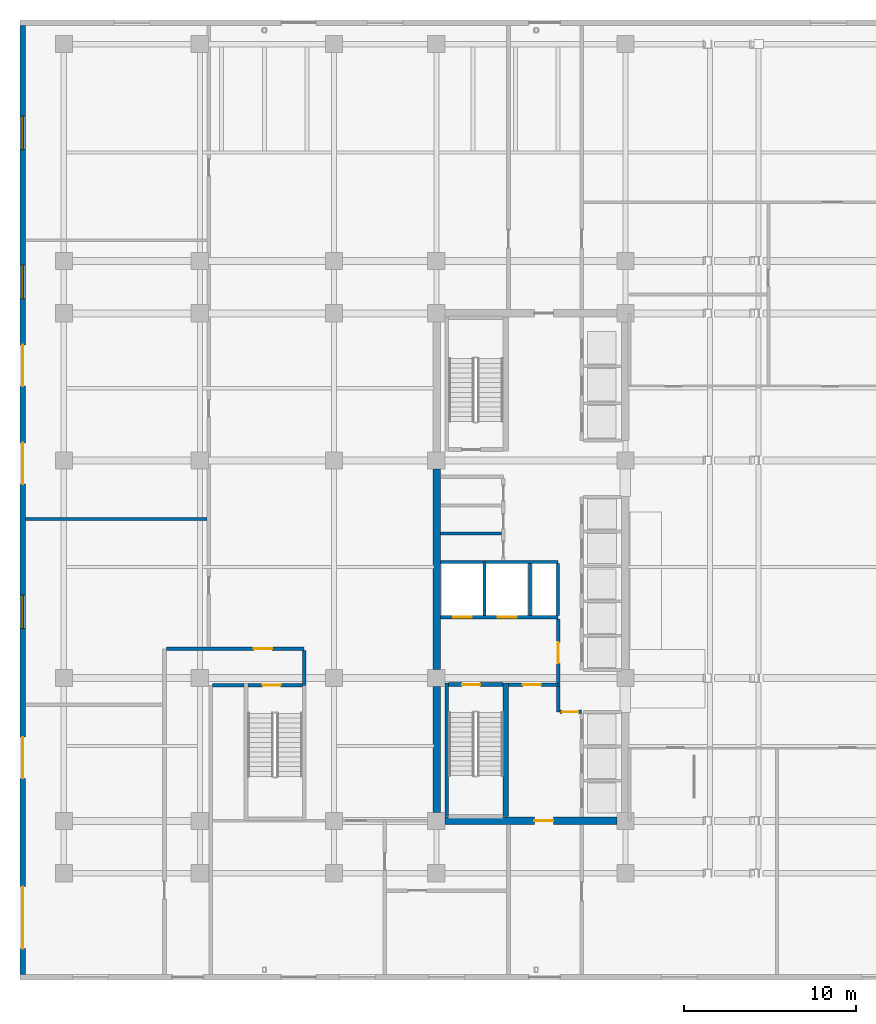
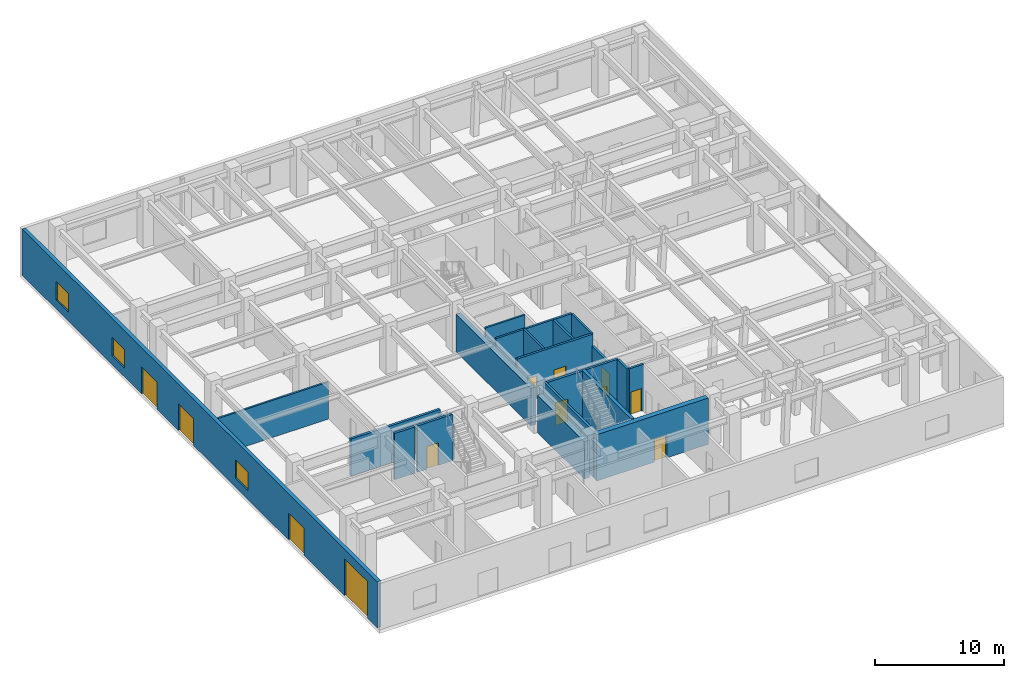
# One storey, part 8 of 13: 22 walls, 13 doors, 3 windows, 16 openings.
"""IFC4 building model written with IfcOpenShell, lengths in metres."""

from ifc_helpers import new_model, si_unit, direction, frame, frame_2d, origin, place, context, subcontext, project, spatial, rectangle, extrude, material, layer, layer_set, type_object, element, fill, save


model = new_model("IFC4")

# Units and contexts
model_context = context("Model", 3, precision=1e-05, world=origin(), true_north=direction((0.0, 1.0)))
body_context = subcontext(model_context, "Body", "Model", "MODEL_VIEW")
ifc_project = project(units=[si_unit("LENGTHUNIT", "METRE"), si_unit("AREAUNIT", "SQUARE_METRE"), si_unit("VOLUMEUNIT", "CUBIC_METRE"), si_unit("PLANEANGLEUNIT", "RADIAN"), si_unit("MASSUNIT", "GRAM", prefix="KILO")], contexts=[model_context])

# Site, building, storey
site_placement = place(None, origin())
site = spatial("IfcSite", under=ifc_project, at=site_placement, CompositionType="ELEMENT")
building_placement = place(site_placement, origin())
building = spatial("IfcBuilding", under=site, at=building_placement, Name="Ochreholt Gables", CompositionType="ELEMENT")
storey_placement = place(building_placement, origin())
storey = spatial("IfcBuildingStorey", under=building, at=storey_placement, Name="L00", CompositionType="ELEMENT", Elevation=0.0)

# Walls
ifc_material_1 = material(Name="Concrete 60 MPa", Category="concrete")
ifc_layer_1 = layer(ifc_material_1, 0.449951171875, Name="Concrete 60 MPa")
ifc_layer_set_1 = layer_set([ifc_layer_1], Name="Concrete 60 MPa")
wall_type_1 = type_object("IfcWallType", Name="WALL-CSW-450", PredefinedType="SHEAR", material=ifc_layer_set_1)
wall_1_placement = place(storey_placement, frame((24.22509765625, 9.75, 0.0), z_axis=(0.0, 0.0, 1.0), x_axis=(0.0, 1.0, 0.0)))
element("IfcWall", 1, at=wall_1_placement, inside=storey, type_object=wall_type_1, Name="L00 Core West Shear Wall WS", PredefinedType="SHEAR", context=body_context, shape_type="SweptSolid", body=[
    extrude(rectangle(XDim=7.300048828125, YDim=0.449951171875, at=frame_2d((3.64990234375, 0.0))), origin(), (0.0, 0.0, 1.0), 3.5390625),
])
wall_2_placement = place(storey_placement, frame((24.22509765625, 18.050048828125, 0.0), z_axis=(0.0, 0.0, 1.0), x_axis=(0.0, 1.0, 0.0)))
element("IfcWall", 2, at=wall_2_placement, inside=storey, type_object=wall_type_1, Name="L00 Core West Shear Wall WM", PredefinedType="SHEAR", context=body_context, shape_type="SweptSolid", body=[
    extrude(rectangle(XDim=11.64990234375, YDim=0.449951171875, at=frame_2d((5.824951171875, 0.0))), origin(), (0.0, 0.0, 1.0), 3.5390625),
])

# Wall, opening, door
wall_3_placement = place(storey_placement, frame((24.699951171875, 9.25, 0.0), z_axis=(0.0, 0.0, 1.0), x_axis=(1.0, 0.0, 0.0)))
wall_3 = element("IfcWall", 3, at=wall_3_placement, inside=storey, type_object=wall_type_1, Name="L00 Core South Shear Wall", PredefinedType="SHEAR", context=body_context, shape_type="SweptSolid", body=[
    extrude(rectangle(XDim=10.0, YDim=0.449951171875, at=frame_2d((5.0, 0.0))), origin(), (0.0, 0.0, 1.0), 4.389892578125),
])
opening_1_placement = place(wall_3_placement, frame((5.199951171875, 0.0, 0.0)))
opening_1 = element("IfcOpeningElement", 4, at=opening_1_placement, cuts=wall_3, Name="Opening D-ST", PredefinedType="OPENING", context=body_context, shape_type="SweptSolid", body=[
    extrude(rectangle(XDim=1.10009765625, YDim=2.14990234375, at=frame_2d((0.550048828125, 1.074951171875))), frame((0.0, 0.23486328125, 0.0), z_axis=(0.0, -1.0, 0.0), x_axis=(1.0, 0.0, 0.0)), (0.0, 0.0, 1.0), 0.469970703125),
])
ifc_material_2 = material(Name="Hollow Metal Steel", Category="steel")
door_type_1 = type_object("IfcDoorType", Name="DR-INT-ST1100", OperationType="NOTDEFINED", PredefinedType="DOOR", material=ifc_material_2)
door_1_placement = place(opening_1_placement, frame((1.10009765625, 0.0, 0.0), z_axis=(0.0, 0.0, 1.0), x_axis=(-1.0, 0.0, 0.0)))
door_1 = element("IfcDoor", 5, at=door_1_placement, inside=storey, type_object=door_type_1, Name="L00 Door D-CORE-S-L00", OperationType="SINGLE_SWING_LEFT", OverallHeight=2.14990234375, OverallWidth=1.10009765625, PredefinedType="DOOR", context=body_context, shape_type="SweptSolid", body=[
    extrude(rectangle(XDim=1.10009765625, YDim=2.14990234375, at=frame_2d((0.550048828125, 1.074951171875))), frame((0.0, 0.02490234375, 0.0), z_axis=(0.0, -1.0, 0.0), x_axis=(1.0, 0.0, 0.0)), (0.0, 0.0, 1.0), 0.050048828125),
])
fill(opening_1, door_1)

# Wall, openings, doors, windows
ifc_material_3 = material(Name="Precast concrete 40 MPa", Category="concrete")
ifc_layer_2 = layer(ifc_material_3, 0.320068359375, Name="Precast concrete 40 MPa")
ifc_layer_set_2 = layer_set([ifc_layer_2], Name="Precast concrete 40 MPa")
wall_type_2 = type_object("IfcWallType", Name="WALL-EXT-320", PredefinedType="SOLIDWALL", material=ifc_layer_set_2)
wall_4_placement = place(storey_placement, frame((0.159912109375, 0.320068359375, 0.0), z_axis=(0.0, 0.0, 1.0), x_axis=(0.0, 1.0, 0.0)))
wall_4 = element("IfcWall", 6, at=wall_4_placement, inside=storey, type_object=wall_type_2, Name="L00 West Exterior Service Wall", PredefinedType="SOLIDWALL", context=body_context, shape_type="SweptSolid", body=[
    extrude(rectangle(XDim=55.159912109375, YDim=0.320068359375, at=frame_2d((27.580078125, 0.0))), origin(), (0.0, 0.0, 1.0), 4.389892578125),
])
opening_2_placement = place(wall_4_placement, frame((1.5, 0.0, 0.0)))
opening_2 = element("IfcOpeningElement", 7, at=opening_2_placement, cuts=wall_4, Name="Opening GT-1", PredefinedType="OPENING", context=body_context, shape_type="SweptSolid", body=[
    extrude(rectangle(XDim=3.60009765625, YDim=3.5, at=frame_2d((1.800048828125, 1.75))), frame((0.0, 0.169921875, 0.0), z_axis=(0.0, -1.0, 0.0), x_axis=(1.0, 0.0, 0.0)), (0.0, 0.0, 1.0), 0.340087890625),
])
opening_3_placement = place(wall_4_placement, frame((11.39990234375, 0.0, 0.0)))
opening_3 = element("IfcOpeningElement", 8, at=opening_3_placement, cuts=wall_4, Name="Opening GT-2", PredefinedType="OPENING", context=body_context, shape_type="SweptSolid", body=[
    extrude(rectangle(XDim=2.39990234375, YDim=2.550048828125, at=frame_2d((1.199951171875, 1.27490234375))), frame((0.0, 0.169921875, 0.0), z_axis=(0.0, -1.0, 0.0), x_axis=(1.0, 0.0, 0.0)), (0.0, 0.0, 1.0), 0.340087890625),
])
opening_4_placement = place(wall_4_placement, frame((28.5, 0.0, 0.0)))
opening_4 = element("IfcOpeningElement", 9, at=opening_4_placement, cuts=wall_4, Name="Opening GT-2", PredefinedType="OPENING", context=body_context, shape_type="SweptSolid", body=[
    extrude(rectangle(XDim=2.39990234375, YDim=2.550048828125, at=frame_2d((1.199951171875, 1.27490234375))), frame((0.0, 0.169921875, 0.0), z_axis=(0.0, -1.0, 0.0), x_axis=(1.0, 0.0, 0.0)), (0.0, 0.0, 1.0), 0.340087890625),
])
opening_5_placement = place(wall_4_placement, frame((34.199951171875, 0.0, 0.0)))
opening_5 = element("IfcOpeningElement", 10, at=opening_5_placement, cuts=wall_4, Name="Opening GT-2", PredefinedType="OPENING", context=body_context, shape_type="SweptSolid", body=[
    extrude(rectangle(XDim=2.39990234375, YDim=2.550048828125, at=frame_2d((1.199951171875, 1.27490234375))), frame((0.0, 0.169921875, 0.0), z_axis=(0.0, -1.0, 0.0), x_axis=(1.0, 0.0, 0.0)), (0.0, 0.0, 1.0), 0.340087890625),
])
opening_6_placement = place(wall_4_placement, frame((20.10498046875, 0.0, 0.85009765625)))
opening_6 = element("IfcOpeningElement", 11, at=opening_6_placement, cuts=wall_4, Name="Opening WN-9", PredefinedType="OPENING", context=body_context, shape_type="SweptSolid", body=[
    extrude(rectangle(XDim=1.949951171875, YDim=1.75, at=frame_2d((0.97509765625, 0.875))), frame((0.0, 0.169921875, 0.0), z_axis=(0.0, -1.0, 0.0), x_axis=(1.0, 0.0, 0.0)), (0.0, 0.0, 1.0), 0.340087890625),
])
opening_7_placement = place(wall_4_placement, frame((39.27490234375, 0.0, 0.85009765625)))
opening_7 = element("IfcOpeningElement", 12, at=opening_7_placement, cuts=wall_4, Name="Opening WN-9", PredefinedType="OPENING", context=body_context, shape_type="SweptSolid", body=[
    extrude(rectangle(XDim=1.949951171875, YDim=1.75, at=frame_2d((0.97509765625, 0.875))), frame((0.0, 0.169921875, 0.0), z_axis=(0.0, -1.0, 0.0), x_axis=(1.0, 0.0, 0.0)), (0.0, 0.0, 1.0), 0.340087890625),
])
opening_8_placement = place(wall_4_placement, frame((47.945068359375, 0.0, 0.85009765625)))
opening_8 = element("IfcOpeningElement", 13, at=opening_8_placement, cuts=wall_4, Name="Opening WN-9", PredefinedType="OPENING", context=body_context, shape_type="SweptSolid", body=[
    extrude(rectangle(XDim=1.949951171875, YDim=1.75, at=frame_2d((0.97509765625, 0.875))), frame((0.0, 0.169921875, 0.0), z_axis=(0.0, -1.0, 0.0), x_axis=(1.0, 0.0, 0.0)), (0.0, 0.0, 1.0), 0.340087890625),
])
ifc_material_4 = material(Name="Thermally Broken Insulated Steel and Glass Door", Category="steel")
door_type_2 = type_object("IfcDoorType", Name="GT-EXT-LDG3600", OperationType="NOTDEFINED", PredefinedType="GATE", material=ifc_material_4)
door_2_placement = place(opening_2_placement, origin())
door_2 = element("IfcDoor", 14, at=door_2_placement, inside=storey, type_object=door_type_2, Name="L00 South Loading Bay Vehicle Gate", OperationType="SLIDING_TO_LEFT", OverallHeight=3.5, OverallWidth=3.60009765625, PredefinedType="GATE", context=body_context, shape_type="SweptSolid", body=[
    extrude(rectangle(XDim=3.60009765625, YDim=3.5, at=frame_2d((1.800048828125, 1.75))), frame((0.0, 0.02490234375, 0.0), z_axis=(0.0, -1.0, 0.0), x_axis=(1.0, 0.0, 0.0)), (0.0, 0.0, 1.0), 0.050048828125),
])
fill(opening_2, door_2)
door_type_3 = type_object("IfcDoorType", Name="GT-EXT-PLT2400", OperationType="NOTDEFINED", PredefinedType="GATE", material=ifc_material_4)
door_3_placement = place(opening_3_placement, origin())
door_3 = element("IfcDoor", 15, at=door_3_placement, inside=storey, type_object=door_type_3, Name="L00 Service Dock Delivery Gate", OperationType="SLIDING_TO_RIGHT", OverallHeight=2.550048828125, OverallWidth=2.39990234375, PredefinedType="GATE", context=body_context, shape_type="SweptSolid", body=[
    extrude(rectangle(XDim=2.39990234375, YDim=2.550048828125, at=frame_2d((1.199951171875, 1.27490234375))), frame((0.0, 0.02490234375, 0.0), z_axis=(0.0, -1.0, 0.0), x_axis=(1.0, 0.0, 0.0)), (0.0, 0.0, 1.0), 0.050048828125),
])
fill(opening_3, door_3)
door_4_placement = place(opening_4_placement, origin())
door_4 = element("IfcDoor", 16, at=door_4_placement, inside=storey, type_object=door_type_3, Name="L00 Bicycle Hub South Gate", OperationType="SLIDING_TO_LEFT", OverallHeight=2.550048828125, OverallWidth=2.39990234375, PredefinedType="GATE", context=body_context, shape_type="SweptSolid", body=[
    extrude(rectangle(XDim=2.39990234375, YDim=2.550048828125, at=frame_2d((1.199951171875, 1.27490234375))), frame((0.0, 0.02490234375, 0.0), z_axis=(0.0, -1.0, 0.0), x_axis=(1.0, 0.0, 0.0)), (0.0, 0.0, 1.0), 0.050048828125),
])
fill(opening_4, door_4)
door_5_placement = place(opening_5_placement, origin())
door_5 = element("IfcDoor", 17, at=door_5_placement, inside=storey, type_object=door_type_3, Name="L00 Bicycle Hub North Gate", OperationType="SLIDING_TO_RIGHT", OverallHeight=2.550048828125, OverallWidth=2.39990234375, PredefinedType="GATE", context=body_context, shape_type="SweptSolid", body=[
    extrude(rectangle(XDim=2.39990234375, YDim=2.550048828125, at=frame_2d((1.199951171875, 1.27490234375))), frame((0.0, 0.02490234375, 0.0), z_axis=(0.0, -1.0, 0.0), x_axis=(1.0, 0.0, 0.0)), (0.0, 0.0, 1.0), 0.050048828125),
])
fill(opening_5, door_5)
ifc_material_5 = material(Name="Triple-Glazed Thermally Broken Aluminium Window", Category="aluminium")
window_type = type_object("IfcWindowType", Name="WIN-CLN-1950", PartitioningType="SINGLE_PANEL", PredefinedType="WINDOW", material=ifc_material_5)
window_1_placement = place(opening_6_placement, origin())
window_1 = element("IfcWindow", 18, at=window_1_placement, inside=storey, type_object=window_type, Name="L00 Window W-EXT-W-L00-1", OverallHeight=1.75, OverallWidth=1.949951171875, PartitioningType="SINGLE_PANEL", PredefinedType="WINDOW", context=body_context, shape_type="SweptSolid", body=[
    extrude(rectangle(XDim=1.949951171875, YDim=1.75, at=frame_2d((0.97509765625, 0.875))), frame((0.0, 0.030029296875, 0.0), z_axis=(0.0, -1.0, 0.0), x_axis=(1.0, 0.0, 0.0)), (0.0, 0.0, 1.0), 0.06005859375),
])
fill(opening_6, window_1)
window_2_placement = place(opening_7_placement, origin())
window_2 = element("IfcWindow", 19, at=window_2_placement, inside=storey, type_object=window_type, Name="L00 Window W-EXT-W-L00-2", OverallHeight=1.75, OverallWidth=1.949951171875, PartitioningType="SINGLE_PANEL", PredefinedType="WINDOW", context=body_context, shape_type="SweptSolid", body=[
    extrude(rectangle(XDim=1.949951171875, YDim=1.75, at=frame_2d((0.97509765625, 0.875))), frame((0.0, 0.030029296875, 0.0), z_axis=(0.0, -1.0, 0.0), x_axis=(1.0, 0.0, 0.0)), (0.0, 0.0, 1.0), 0.06005859375),
])
fill(opening_7, window_2)
window_3_placement = place(opening_8_placement, origin())
window_3 = element("IfcWindow", 20, at=window_3_placement, inside=storey, type_object=window_type, Name="L00 Window W-EXT-W-L00-3", OverallHeight=1.75, OverallWidth=1.949951171875, PartitioningType="SINGLE_PANEL", PredefinedType="WINDOW", context=body_context, shape_type="SweptSolid", body=[
    extrude(rectangle(XDim=1.949951171875, YDim=1.75, at=frame_2d((0.97509765625, 0.875))), frame((0.0, 0.030029296875, 0.0), z_axis=(0.0, -1.0, 0.0), x_axis=(1.0, 0.0, 0.0)), (0.0, 0.0, 1.0), 0.06005859375),
])
fill(opening_8, window_3)

# Wall, openings, doors
ifc_material_6 = material(Name="Concrete 40 MPa", Category="concrete")
ifc_layer_3 = layer(ifc_material_6, 0.199951171875, Name="Concrete 40 MPa")
ifc_layer_set_3 = layer_set([ifc_layer_3], Name="Concrete 40 MPa")
wall_type_3 = type_object("IfcWallType", Name="WALL-INT-CF200", PredefinedType="STANDARD", material=ifc_layer_set_3)
wall_5_placement = place(storey_placement, frame((24.449951171875, 21.090087890625, 0.0), z_axis=(0.0, 0.0, 1.0), x_axis=(1.0, 0.0, 0.0)))
wall_5 = element("IfcWall", 21, at=wall_5_placement, inside=storey, type_object=wall_type_3, Name="L00 Interior Wall WI-FFN-L00", PredefinedType="STANDARD", context=body_context, shape_type="SweptSolid", body=[
    extrude(rectangle(XDim=6.830078125, YDim=0.199951171875, at=frame_2d((3.4150390625, 0.0))), origin(), (0.0, 0.0, 1.0), 4.389892578125),
])
opening_9_placement = place(wall_5_placement, frame((0.719970703125, 0.0, 0.0)))
opening_9 = element("IfcOpeningElement", 22, at=opening_9_placement, cuts=wall_5, Name="Opening LD-FF", PredefinedType="OPENING", context=body_context, shape_type="SweptSolid", body=[
    extrude(rectangle(XDim=1.10009765625, YDim=2.199951171875, at=frame_2d((0.550048828125, 1.10009765625))), frame((0.0, 0.10986328125, 0.0), z_axis=(0.0, -1.0, 0.0), x_axis=(1.0, 0.0, 0.0)), (0.0, 0.0, 1.0), 0.219970703125),
])
opening_10_placement = place(wall_5_placement, frame((3.320068359375, 0.0, 0.0)))
opening_10 = element("IfcOpeningElement", 23, at=opening_10_placement, cuts=wall_5, Name="Opening LD-FF", PredefinedType="OPENING", context=body_context, shape_type="SweptSolid", body=[
    extrude(rectangle(XDim=1.10009765625, YDim=2.199951171875, at=frame_2d((0.550048828125, 1.10009765625))), frame((0.0, 0.10986328125, 0.0), z_axis=(0.0, -1.0, 0.0), x_axis=(1.0, 0.0, 0.0)), (0.0, 0.0, 1.0), 0.219970703125),
])
ifc_material_7 = material(Name="Stainless Steel", Category="steel")
door_type_4 = type_object("IfcDoorType", Name="DR-LFT-FF1100", OperationType="NOTDEFINED", PredefinedType="DOOR", material=ifc_material_7)
door_6_placement = place(opening_9_placement, origin())
door_6 = element("IfcDoor", 24, at=door_6_placement, inside=storey, type_object=door_type_4, Name="L00 Door LD-FF1-L00", OperationType="SLIDING_TO_LEFT", OverallHeight=2.199951171875, OverallWidth=1.10009765625, PredefinedType="DOOR", context=body_context, shape_type="SweptSolid", body=[
    extrude(rectangle(XDim=1.10009765625, YDim=2.199951171875, at=frame_2d((0.550048828125, 1.10009765625))), frame((0.0, 0.02490234375, 0.0), z_axis=(0.0, -1.0, 0.0), x_axis=(1.0, 0.0, 0.0)), (0.0, 0.0, 1.0), 0.050048828125),
])
fill(opening_9, door_6)
door_7_placement = place(opening_10_placement, origin())
door_7 = element("IfcDoor", 25, at=door_7_placement, inside=storey, type_object=door_type_4, Name="L00 Door LD-FF2-L00", OperationType="SLIDING_TO_LEFT", OverallHeight=2.199951171875, OverallWidth=1.10009765625, PredefinedType="DOOR", context=body_context, shape_type="SweptSolid", body=[
    extrude(rectangle(XDim=1.10009765625, YDim=2.199951171875, at=frame_2d((0.550048828125, 1.10009765625))), frame((0.0, 0.02490234375, 0.0), z_axis=(0.0, -1.0, 0.0), x_axis=(1.0, 0.0, 0.0)), (0.0, 0.0, 1.0), 0.050048828125),
])
fill(opening_10, door_7)

# Wall, opening, door
wall_6_placement = place(storey_placement, frame((28.3798828125, 17.169921875, 0.0), z_axis=(0.0, 0.0, 1.0), x_axis=(1.0, 0.0, 0.0)))
wall_6 = element("IfcWall", 26, at=wall_6_placement, inside=storey, type_object=wall_type_3, Name="L00 Interior Wall WI-FFS-L00", PredefinedType="STANDARD", context=body_context, shape_type="SweptSolid", body=[
    extrude(rectangle(XDim=2.900146484375, YDim=0.199951171875, at=frame_2d((1.4501953125, 0.0))), origin(), (0.0, 0.0, 1.0), 4.389892578125),
])
opening_11_placement = place(wall_6_placement, frame((0.85009765625, 0.0, 0.0)))
opening_11 = element("IfcOpeningElement", 27, at=opening_11_placement, cuts=wall_6, Name="Opening D-FLB", PredefinedType="OPENING", context=body_context, shape_type="SweptSolid", body=[
    extrude(rectangle(XDim=1.050048828125, YDim=2.14990234375, at=frame_2d((0.52490234375, 1.074951171875))), frame((0.0, 0.10986328125, 0.0), z_axis=(0.0, -1.0, 0.0), x_axis=(1.0, 0.0, 0.0)), (0.0, 0.0, 1.0), 0.219970703125),
])
door_type_5 = type_object("IfcDoorType", Name="DR-INT-FLB1050", OperationType="NOTDEFINED", PredefinedType="DOOR", material=ifc_material_2)
door_8_placement = place(opening_11_placement, origin())
door_8 = element("IfcDoor", 28, at=door_8_placement, inside=storey, type_object=door_type_5, Name="L00 Door D-FFS-EXP-L00", OperationType="SINGLE_SWING_RIGHT", OverallHeight=2.14990234375, OverallWidth=1.050048828125, PredefinedType="DOOR", context=body_context, shape_type="SweptSolid", body=[
    extrude(rectangle(XDim=1.050048828125, YDim=2.14990234375, at=frame_2d((0.52490234375, 1.074951171875))), frame((0.0, 0.02490234375, 0.0), z_axis=(0.0, -1.0, 0.0), x_axis=(1.0, 0.0, 0.0)), (0.0, 0.0, 1.0), 0.050048828125),
])
fill(opening_11, door_8)

wall_7_placement = place(storey_placement, frame((31.280029296875, 17.070068359375, 0.0), z_axis=(0.0, 0.0, 1.0), x_axis=(0.0, 1.0, 0.0)))
wall_7 = element("IfcWall", 29, at=wall_7_placement, inside=storey, type_object=wall_type_3, Name="L00 Interior Wall WI-FFE-L00", PredefinedType="STANDARD", context=body_context, shape_type="SweptSolid", body=[
    extrude(rectangle(XDim=3.919921875, YDim=0.199951171875, at=frame_2d((1.9599609375, 0.0))), origin(), (0.0, 0.0, 1.0), 3.27197265625),
])
opening_12_placement = place(wall_7_placement, frame((1.35009765625, 0.0, 0.0)))
opening_12 = element("IfcOpeningElement", 30, at=opening_12_placement, cuts=wall_7, Name="Opening D-FFL", PredefinedType="OPENING", context=body_context, shape_type="SweptSolid", body=[
    extrude(rectangle(XDim=1.199951171875, YDim=2.14990234375, at=frame_2d((0.60009765625, 1.074951171875))), frame((0.0, 0.10986328125, 0.0), z_axis=(0.0, -1.0, 0.0), x_axis=(1.0, 0.0, 0.0)), (0.0, 0.0, 1.0), 0.219970703125),
])
door_type_6 = type_object("IfcDoorType", Name="DR-INT-FFL1200", OperationType="NOTDEFINED", PredefinedType="DOOR", material=ifc_material_2)
door_9_placement = place(opening_12_placement, origin())
door_9 = element("IfcDoor", 31, at=door_9_placement, inside=storey, type_object=door_type_6, Name="L00 Door D-FFL-L00", OperationType="SINGLE_SWING_LEFT", OverallHeight=2.14990234375, OverallWidth=1.199951171875, PredefinedType="DOOR", context=body_context, shape_type="SweptSolid", body=[
    extrude(rectangle(XDim=1.199951171875, YDim=2.14990234375, at=frame_2d((0.60009765625, 1.074951171875))), frame((0.0, 0.02490234375, 0.0), z_axis=(0.0, -1.0, 0.0), x_axis=(1.0, 0.0, 0.0)), (0.0, 0.0, 1.0), 0.050048828125),
])
fill(opening_12, door_9)

# Wall
wall_8_placement = place(storey_placement, frame((31.280029296875, 15.580078125, 0.0), z_axis=(0.0, 0.0, 1.0), x_axis=(0.0, 1.0, 0.0)))
element("IfcWall", 32, at=wall_8_placement, inside=storey, type_object=wall_type_3, Name="L00 Interior Wall WI-SLLE-L00", PredefinedType="STANDARD", context=body_context, shape_type="SweptSolid", body=[
    extrude(rectangle(XDim=1.489990234375, YDim=0.199951171875, at=frame_2d((0.7451171875, 0.0))), origin(), (0.0, 0.0, 1.0), 4.389892578125),
])

# Wall, opening, door
wall_9_placement = place(storey_placement, frame((31.3798828125, 15.580078125, 0.0), z_axis=(0.0, 0.0, 1.0), x_axis=(1.0, 0.0, 0.0)))
wall_9 = element("IfcWall", 33, at=wall_9_placement, inside=storey, type_object=wall_type_3, Name="L00 Interior Wall WI-SLLN-L00", PredefinedType="STANDARD", context=body_context, shape_type="SweptSolid", body=[
    extrude(rectangle(XDim=1.27001953125, YDim=0.199951171875, at=frame_2d((0.635009765625, 0.0))), origin(), (0.0, 0.0, 1.0), 4.389892578125),
])
opening_13_placement = place(wall_9_placement, frame((0.1201171875, 0.0, 0.0)))
opening_13 = element("IfcOpeningElement", 34, at=opening_13_placement, cuts=wall_9, Name="Opening D-FL2", PredefinedType="OPENING", context=body_context, shape_type="SweptSolid", body=[
    extrude(rectangle(XDim=0.949951171875, YDim=2.14990234375, at=frame_2d((0.47509765625, 1.074951171875))), frame((0.0, 0.10986328125, 0.0), z_axis=(0.0, -1.0, 0.0), x_axis=(1.0, 0.0, 0.0)), (0.0, 0.0, 1.0), 0.219970703125),
])
door_type_7 = type_object("IfcDoorType", Name="DR-INT-FLB950", OperationType="NOTDEFINED", PredefinedType="DOOR", material=ifc_material_2)
door_10_placement = place(opening_13_placement, frame((0.949951171875, 0.0, 0.0), z_axis=(0.0, 0.0, 1.0), x_axis=(-1.0, 0.0, 0.0)))
door_10 = element("IfcDoor", 35, at=door_10_placement, inside=storey, type_object=door_type_7, Name="L00 Door D-SLL-L00", OperationType="SINGLE_SWING_LEFT", OverallHeight=2.14990234375, OverallWidth=0.949951171875, PredefinedType="DOOR", context=body_context, shape_type="SweptSolid", body=[
    extrude(rectangle(XDim=0.949951171875, YDim=2.14990234375, at=frame_2d((0.47509765625, 1.074951171875))), frame((0.0, 0.02490234375, 0.0), z_axis=(0.0, -1.0, 0.0), x_axis=(1.0, 0.0, 0.0)), (0.0, 0.0, 1.0), 0.050048828125),
])
fill(opening_13, door_10)

# Wall
ifc_layer_4 = layer(ifc_material_6, 0.219970703125, Name="Concrete 40 MPa")
ifc_layer_set_4 = layer_set([ifc_layer_4], Name="Concrete 40 MPa")
wall_type_4 = type_object("IfcWallType", Name="WALL-INT-CF220", PredefinedType="STANDARD", material=ifc_layer_set_4)
wall_10_placement = place(storey_placement, frame((11.199951171875, 17.1298828125, 0.0), z_axis=(0.0, 0.0, 1.0), x_axis=(1.0, 0.0, 0.0)))
element("IfcWall", 36, at=wall_10_placement, inside=storey, type_object=wall_type_4, Name="L00 Interior Wall WI-EXP-P1S2", PredefinedType="STANDARD", context=body_context, shape_type="SweptSolid", body=[
    extrude(rectangle(XDim=1.830078125, YDim=0.219970703125, at=frame_2d((0.9150390625, 0.0))), origin(), (0.0, 0.0, 1.0), 4.389892578125),
])

# Wall, opening, door
wall_11_placement = place(storey_placement, frame((8.510009765625, 19.25, 0.0), z_axis=(0.0, 0.0, 1.0), x_axis=(1.0, 0.0, 0.0)))
wall_11 = element("IfcWall", 37, at=wall_11_placement, inside=storey, type_object=wall_type_4, Name="L00 Interior Wall WI-EXP-P1N", PredefinedType="STANDARD", context=body_context, shape_type="SweptSolid", body=[
    extrude(rectangle(XDim=8.010009765625, YDim=0.219970703125, at=frame_2d((4.0048828125, 0.0))), origin(), (0.0, 0.0, 1.0), 3.52099609375),
])
opening_14_placement = place(wall_11_placement, frame((5.090087890625, 0.0, 0.0)))
opening_14 = element("IfcOpeningElement", 38, at=opening_14_placement, cuts=wall_11, Name="Opening D-FLB", PredefinedType="OPENING", context=body_context, shape_type="SweptSolid", body=[
    extrude(rectangle(XDim=1.050048828125, YDim=2.14990234375, at=frame_2d((0.52490234375, 1.074951171875))), frame((0.0, 0.119873046875, 0.0), z_axis=(0.0, -1.0, 0.0), x_axis=(1.0, 0.0, 0.0)), (0.0, 0.0, 1.0), 0.239990234375),
])
door_11_placement = place(opening_14_placement, origin())
door_11 = element("IfcDoor", 39, at=door_11_placement, inside=storey, type_object=door_type_5, Name="L00 Door D-EXP-P1-LOB", OperationType="SINGLE_SWING_LEFT", OverallHeight=2.14990234375, OverallWidth=1.050048828125, PredefinedType="DOOR", context=body_context, shape_type="SweptSolid", body=[
    extrude(rectangle(XDim=1.050048828125, YDim=2.14990234375, at=frame_2d((0.52490234375, 1.074951171875))), frame((0.0, 0.02490234375, 0.0), z_axis=(0.0, -1.0, 0.0), x_axis=(1.0, 0.0, 0.0)), (0.0, 0.0, 1.0), 0.050048828125),
])
fill(opening_14, door_11)

# Walls
wall_12_placement = place(storey_placement, frame((16.52001953125, 17.1298828125, 0.0), z_axis=(0.0, 0.0, 1.0), x_axis=(0.0, 1.0, 0.0)))
element("IfcWall", 40, at=wall_12_placement, inside=storey, type_object=wall_type_4, Name="L00 Interior Wall WI-EXP-P1NE", PredefinedType="STANDARD", context=body_context, shape_type="SweptSolid", body=[
    extrude(rectangle(XDim=2.010009765625, YDim=0.219970703125, at=frame_2d((1.0048828125, 0.0))), origin(), (0.0, 0.0, 1.0), 3.27197265625),
])
ifc_material_8 = material(Name="Gypsum Acoustic Stud Partition", Category="gypsum")
ifc_layer_5 = layer(ifc_material_8, 0.159912109375, Name="Gypsum Acoustic Stud Partition")
ifc_layer_set_5 = layer_set([ifc_layer_5], Name="Gypsum Acoustic Stud Partition")
wall_type_5 = type_object("IfcWallType", Name="WALL-INT-PT160", PredefinedType="PARTITIONING", material=ifc_layer_set_5)
wall_13_placement = place(storey_placement, frame((24.449951171875, 25.949951171875, 0.0), z_axis=(0.0, 0.0, 1.0), x_axis=(1.0, 0.0, 0.0)))
element("IfcWall", 41, at=wall_13_placement, inside=storey, type_object=wall_type_5, Name="L00 Interior Wall WI-SRVP1-L00", PredefinedType="PARTITIONING", context=body_context, shape_type="SweptSolid", body=[
    extrude(rectangle(XDim=3.550048828125, YDim=0.159912109375, at=frame_2d((1.77490234375, 0.0))), origin(), (0.0, 0.0, 1.0), 4.389892578125),
])
wall_14_placement = place(storey_placement, frame((0.320068359375, 26.800048828125, 0.0), z_axis=(0.0, 0.0, 1.0), x_axis=(1.0, 0.0, 0.0)))
element("IfcWall", 42, at=wall_14_placement, inside=storey, type_object=wall_type_5, Name="L00 Interior Wall WI-L00-WY2", PredefinedType="PARTITIONING", context=body_context, shape_type="SweptSolid", body=[
    extrude(rectangle(XDim=10.559814453125, YDim=0.159912109375, at=frame_2d((5.27978515625, 0.0))), origin(), (0.0, 0.0, 1.0), 3.52099609375),
])
ifc_material_9 = material(Name="Gypsum Shaftliner and Steel Stud", Category="steel")
ifc_layer_6 = layer(ifc_material_9, 0.179931640625, Name="Gypsum Shaftliner and Steel Stud")
ifc_layer_set_6 = layer_set([ifc_layer_6], Name="Gypsum Shaftliner and Steel Stud")
wall_type_6 = type_object("IfcWallType", Name="WALL-INT-SH180", PredefinedType="STANDARD", material=ifc_layer_set_6)
wall_15_placement = place(storey_placement, frame((27.0, 21.18994140625, 0.0), z_axis=(0.0, 0.0, 1.0), x_axis=(0.0, 1.0, 0.0)))
element("IfcWall", 43, at=wall_15_placement, inside=storey, type_object=wall_type_6, Name="L00 Interior Wall WI-FFDIV-L00", PredefinedType="STANDARD", context=body_context, shape_type="SweptSolid", body=[
    extrude(rectangle(XDim=3.110107421875, YDim=0.179931640625, at=frame_2d((1.55517578125, 0.0))), origin(), (0.0, 0.0, 1.0), 4.389892578125),
])
wall_16_placement = place(storey_placement, frame((24.449951171875, 24.300048828125, 0.0), z_axis=(0.0, 0.0, 1.0), x_axis=(1.0, 0.0, 0.0)))
element("IfcWall", 44, at=wall_16_placement, inside=storey, type_object=wall_type_6, Name="L00 Interior Wall WI-FFBK-L00", PredefinedType="STANDARD", context=body_context, shape_type="SweptSolid", body=[
    extrude(rectangle(XDim=6.830078125, YDim=0.179931640625, at=frame_2d((3.4150390625, 0.0))), origin(), (0.0, 0.0, 1.0), 4.389892578125),
])
for number, where, z_axis, x_axis, name in (
    (45, (29.64990234375, 21.18994140625, 0.0), (0.0, 0.0, 1.0), (0.0, 1.0, 0.0), "L00 Interior Wall WI-FFSH-L00"),
    (46, (31.280029296875, 21.18994140625, 0.0), (0.0, 0.0, 1.0), (0.0, 1.0, 0.0), "L00 Interior Wall WI-RSE-L00"),
):
    element("IfcWall", number, at=place(storey_placement, frame(where, z_axis=z_axis, x_axis=x_axis)), inside=storey, type_object=wall_type_6, Name=name, PredefinedType="STANDARD", context=body_context, shape_type="SweptSolid", body=[
        extrude(rectangle(XDim=3.02001953125, YDim=0.179931640625, at=frame_2d((1.510009765625, 0.0))), origin(), (0.0, 0.0, 1.0), 4.389892578125),
    ])
ifc_layer_7 = layer(ifc_material_1, 0.300048828125, Name="Concrete 60 MPa")
ifc_layer_set_7 = layer_set([ifc_layer_7], Name="Concrete 60 MPa")
wall_type_7 = type_object("IfcWallType", Name="WALL-SPN-300", PredefinedType="SHEAR", material=ifc_layer_set_7)
wall_17_placement = place(storey_placement, frame((28.22998046875, 9.5, 0.0), z_axis=(0.0, 0.0, 1.0), x_axis=(0.0, 1.0, 0.0)))
element("IfcWall", 47, at=wall_17_placement, inside=storey, type_object=wall_type_7, Name="L00 Core South Spine Shear Wall", PredefinedType="SHEAR", context=body_context, shape_type="SweptSolid", body=[
    extrude(rectangle(XDim=7.760009765625, YDim=0.300048828125, at=frame_2d((3.8798828125, 0.0))), origin(), (0.0, 0.0, 1.0), 4.389892578125),
])
ifc_material_10 = material(Name="Concrete 50 MPa", Category="concrete")
ifc_layer_8 = layer(ifc_material_10, 0.219970703125, Name="Concrete 50 MPa")
ifc_layer_set_8 = layer_set([ifc_layer_8], Name="Concrete 50 MPa")
wall_type_8 = type_object("IfcWallType", Name="WALL-STW-220", PredefinedType="SHEAR", material=ifc_layer_set_8)
wall_18_placement = place(storey_placement, frame((24.81005859375, 9.5, 0.0), z_axis=(0.0, 0.0, 1.0), x_axis=(0.0, 1.0, 0.0)))
element("IfcWall", 48, at=wall_18_placement, inside=storey, type_object=wall_type_8, Name="L00 Exit Stair 1 West Wall", PredefinedType="SHEAR", context=body_context, shape_type="SweptSolid", body=[
    extrude(rectangle(XDim=7.760009765625, YDim=0.219970703125, at=frame_2d((3.8798828125, 0.0))), origin(), (0.0, 0.0, 1.0), 4.389892578125),
])

# Wall, opening, door
wall_19_placement = place(storey_placement, frame((24.919921875, 17.169921875, 0.0), z_axis=(0.0, 0.0, 1.0), x_axis=(1.0, 0.0, 0.0)))
wall_19 = element("IfcWall", 49, at=wall_19_placement, inside=storey, type_object=wall_type_8, Name="L00 Exit Stair 1 North Wall", PredefinedType="SHEAR", context=body_context, shape_type="SweptSolid", body=[
    extrude(rectangle(XDim=3.16015625, YDim=0.219970703125, at=frame_2d((1.580078125, 0.0))), origin(), (0.0, 0.0, 1.0), 4.389892578125),
])
opening_15_placement = place(wall_19_placement, frame((0.780029296875, 0.0, 0.0)))
opening_15 = element("IfcOpeningElement", 50, at=opening_15_placement, cuts=wall_19, Name="Opening D-STC", PredefinedType="OPENING", context=body_context, shape_type="SweptSolid", body=[
    extrude(rectangle(XDim=1.050048828125, YDim=2.14990234375, at=frame_2d((0.52490234375, 1.074951171875))), frame((0.0, 0.119873046875, 0.0), z_axis=(0.0, -1.0, 0.0), x_axis=(1.0, 0.0, 0.0)), (0.0, 0.0, 1.0), 0.239990234375),
])
door_type_8 = type_object("IfcDoorType", Name="DR-INT-ST1050", OperationType="NOTDEFINED", PredefinedType="DOOR", material=ifc_material_2)
door_12_placement = place(opening_15_placement, frame((1.050048828125, 0.0, 0.0), z_axis=(0.0, 0.0, 1.0), x_axis=(-1.0, 0.0, 0.0)))
door_12 = element("IfcDoor", 51, at=door_12_placement, inside=storey, type_object=door_type_8, Name="L00 Door D-ST1-L00", OperationType="SINGLE_SWING_LEFT", OverallHeight=2.14990234375, OverallWidth=1.050048828125, PredefinedType="DOOR", context=body_context, shape_type="SweptSolid", body=[
    extrude(rectangle(XDim=1.050048828125, YDim=2.14990234375, at=frame_2d((0.52490234375, 1.074951171875))), frame((0.0, 0.02490234375, 0.0), z_axis=(0.0, -1.0, 0.0), x_axis=(1.0, 0.0, 0.0)), (0.0, 0.0, 1.0), 0.050048828125),
])
fill(opening_15, door_12)

wall_20_placement = place(storey_placement, frame((13.25, 17.1298828125, 0.0), z_axis=(0.0, 0.0, 1.0), x_axis=(1.0, 0.0, 0.0)))
wall_20 = element("IfcWall", 52, at=wall_20_placement, inside=storey, type_object=wall_type_8, Name="L00 Podium Stair North Wall", PredefinedType="SHEAR", context=body_context, shape_type="SweptSolid", body=[
    extrude(rectangle(XDim=3.159912109375, YDim=0.219970703125, at=frame_2d((1.580078125, 0.0))), origin(), (0.0, 0.0, 1.0), 4.389892578125),
])
opening_16_placement = place(wall_20_placement, frame((0.85009765625, 0.0, 0.0)))
opening_16 = element("IfcOpeningElement", 53, at=opening_16_placement, cuts=wall_20, Name="Opening D-STC", PredefinedType="OPENING", context=body_context, shape_type="SweptSolid", body=[
    extrude(rectangle(XDim=1.050048828125, YDim=2.14990234375, at=frame_2d((0.52490234375, 1.074951171875))), frame((0.0, 0.119873046875, 0.0), z_axis=(0.0, -1.0, 0.0), x_axis=(1.0, 0.0, 0.0)), (0.0, 0.0, 1.0), 0.239990234375),
])
door_13_placement = place(opening_16_placement, frame((1.050048828125, 0.0, 0.0), z_axis=(0.0, 0.0, 1.0), x_axis=(-1.0, 0.0, 0.0)))
door_13 = element("IfcDoor", 54, at=door_13_placement, inside=storey, type_object=door_type_8, Name="L00 Door D-STP1-L00", OperationType="SINGLE_SWING_LEFT", OverallHeight=2.14990234375, OverallWidth=1.050048828125, PredefinedType="DOOR", context=body_context, shape_type="SweptSolid", body=[
    extrude(rectangle(XDim=1.050048828125, YDim=2.14990234375, at=frame_2d((0.52490234375, 1.074951171875))), frame((0.0, 0.02490234375, 0.0), z_axis=(0.0, -1.0, 0.0), x_axis=(1.0, 0.0, 0.0)), (0.0, 0.0, 1.0), 0.050048828125),
])
fill(opening_16, door_13)

save(model, "model.ifc")
